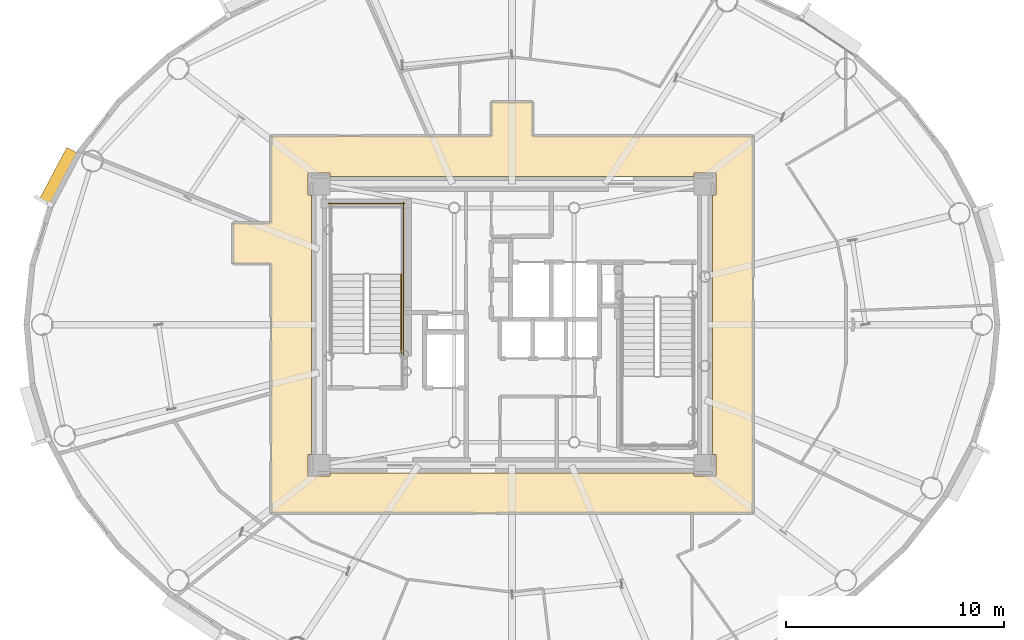
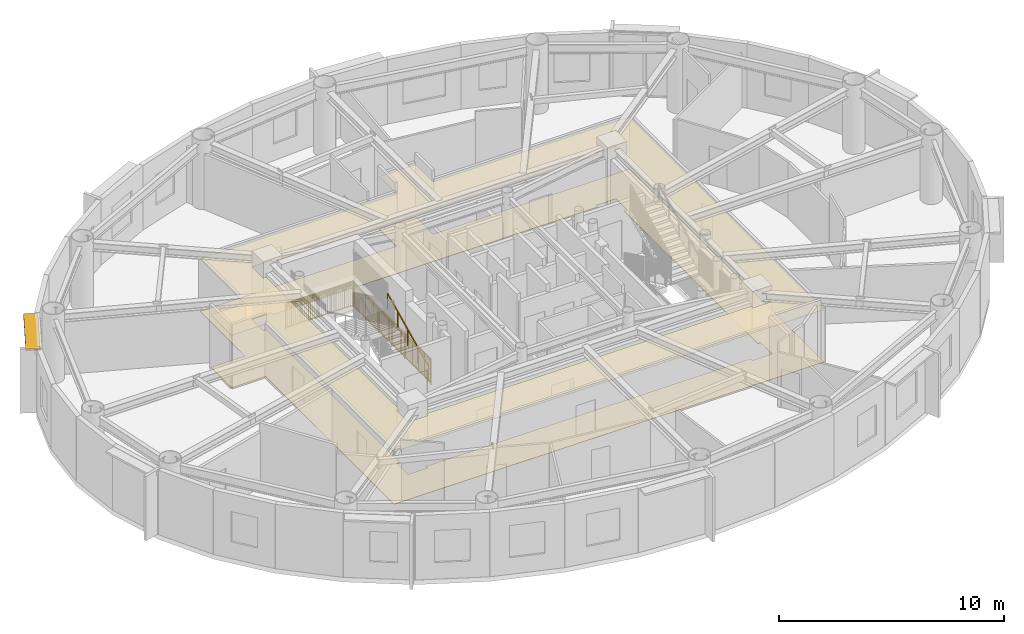
# One storey, part 15 of 17: 3 railings, 2 coverings, 1 shading device.
"""IFC4 building model written with IfcOpenShell, lengths in metres."""

import ifcopenshell
import ifcopenshell.guid

model = None  # the IFC model being written
_history = None  # IfcOwnerHistory: only IFC2X3 demands one
_inside = {}  # id of a spatial element -> (the spatial element, [elements in it])
_under = {}  # id of a project, library or spatial element -> (it, [spatial elements below it])
_declared = {}  # id of a project -> (the project, [libraries it declares])
_typed = {}  # id of a type object -> (the type object, [elements of that type])
_made_of = {}  # id of a material, layer set ... -> (it, [elements and type objects made of it])


def new_model(schema):
    """Start an empty IFC model of exactly this schema.

    Asked for "IFC4X3", IfcOpenShell would pick the latest addendum, in which some entities
    have other attributes; the version numbers below select the first issue.
    IFC2X3 requires an IfcOwnerHistory on every rooted entity: one is made here for all.
    """
    global model, _history
    if schema == "IFC4X3":
        model = ifcopenshell.file(schema_version=(4, 3, 0, 0))
    else:
        model = ifcopenshell.file(schema=schema)
    _inside.clear()
    _under.clear()
    _declared.clear()
    _typed.clear()
    _made_of.clear()
    _history = None
    if model.schema == "IFC2X3":
        org = make("IfcOrganization", Name="unknown")
        user = make(
            "IfcPersonAndOrganization",
            ThePerson=make("IfcPerson", FamilyName="unknown"),
            TheOrganization=org,
        )
        app = make(
            "IfcApplication",
            ApplicationDeveloper=org,
            Version="unknown",
            ApplicationFullName="unknown",
            ApplicationIdentifier="unknown",
        )
        _history = make(
            "IfcOwnerHistory",
            OwningUser=user,
            OwningApplication=app,
            ChangeAction="ADDED",
            CreationDate=0,
        )
    return model


def make(cls, **values):
    """One entity of the class cls with the attributes given. An attribute that is None is left unset."""
    return model.create_entity(
        cls, **{name: value for name, value in values.items() if value is not None}
    )


def rooted(cls, **values):
    """An entity with a GlobalId (a new one), such as an element, a storey or a relation."""
    return make(cls, GlobalId=ifcopenshell.guid.new(), OwnerHistory=_history, **values)


def si_unit(unit_type, name, prefix=None):
    """IfcSIUnit, for example si_unit("LENGTHUNIT", "METRE", prefix="MILLI")."""
    return make("IfcSIUnit", UnitType=unit_type, Prefix=prefix, Name=name)


def assignment(units):
    """IfcUnitAssignment: the units of a project."""
    return None if units is None else make("IfcUnitAssignment", Units=units)


def point(xyz):
    """IfcCartesianPoint."""
    return None if xyz is None else make("IfcCartesianPoint", Coordinates=xyz)


def direction(xyz):
    """IfcDirection."""
    return None if xyz is None else make("IfcDirection", DirectionRatios=xyz)


def frame(location, z_axis=None, x_axis=None):
    """IfcAxis2Placement3D, a coordinate frame: its origin and axes. An axis left out is left unset."""
    return make(
        "IfcAxis2Placement3D",
        Location=point(location),
        Axis=direction(z_axis),
        RefDirection=direction(x_axis),
    )


def frame_2d(location, x_axis=None):
    """IfcAxis2Placement2D, a coordinate frame in the plane: its origin and x axis."""
    return make(
        "IfcAxis2Placement2D", Location=point(location), RefDirection=direction(x_axis)
    )


def origin():
    """The frame at (0, 0, 0) with its axes left unset."""
    return frame((0.0, 0.0, 0.0))


def origin_2d():
    """The frame at (0, 0) in the plane with its x axis left unset."""
    return frame_2d((0.0, 0.0))


def place(relative_to, where):
    """IfcLocalPlacement: puts the frame where relative to a parent placement (None: the world)."""
    return make(
        "IfcLocalPlacement", PlacementRelTo=relative_to, RelativePlacement=where
    )


def context(
    kind, dimensions, precision=None, world=None, true_north=None, identifier=None
):
    """IfcGeometricRepresentationContext, for example the 3D "Model" context."""
    return make(
        "IfcGeometricRepresentationContext",
        ContextIdentifier=identifier,
        ContextType=kind,
        CoordinateSpaceDimension=dimensions,
        Precision=precision,
        WorldCoordinateSystem=world,
        TrueNorth=true_north,
    )


def subcontext(parent, identifier, kind, view, scale=None):
    """IfcGeometricRepresentationSubContext, for example "Body" below "Model"."""
    return make(
        "IfcGeometricRepresentationSubContext",
        ContextIdentifier=identifier,
        ContextType=kind,
        ParentContext=parent,
        TargetScale=scale,
        TargetView=view,
    )


def project(units=None, contexts=None):
    """IfcProject with its units and contexts."""
    return rooted(
        "IfcProject",
        Name="project",
        RepresentationContexts=contexts,
        UnitsInContext=assignment(units),
    )


def spatial(cls, under=None, at=None, **own):
    """A site, building, storey or space (cls), placed at a placement, below another one or the project."""
    s = rooted(cls, ObjectPlacement=at, **own)
    if under is not None:
        _under.setdefault(under.id(), (under, []))[1].append(s)
    return s


def polyline(points):
    """IfcPolyline through the points."""
    return make("IfcPolyline", Points=[point(p) for p in points])


def profile(cls, at=None, kind="AREA", **sizes):
    """A parametric profile (cls). Its sizes go by their IFC names, for example OverallWidth=200.0."""
    return make(cls, ProfileType=kind, Position=at, **sizes)


def rectangle(**sizes):
    """IfcRectangleProfileDef."""
    return profile("IfcRectangleProfileDef", **sizes)


def outline(outer, holes=None, kind="AREA"):
    """IfcArbitraryClosedProfileDef: a profile drawn as a closed curve; with holes, ...WithVoids."""
    if holes is None:
        return make("IfcArbitraryClosedProfileDef", ProfileType=kind, OuterCurve=outer)
    return make(
        "IfcArbitraryProfileDefWithVoids",
        ProfileType=kind,
        OuterCurve=outer,
        InnerCurves=holes,
    )


def extrude(swept, where, along, depth):
    """IfcExtrudedAreaSolid: the profile swept, set in the frame where, extruded along a direction by depth."""
    return make(
        "IfcExtrudedAreaSolid",
        SweptArea=swept,
        Position=where,
        ExtrudedDirection=direction(along),
        Depth=depth,
    )


def shape(context_of_items, identifier, shape_type, items):
    """IfcShapeRepresentation: the items that make up one representation, for example the "Body"."""
    return make(
        "IfcShapeRepresentation",
        ContextOfItems=context_of_items,
        RepresentationIdentifier=identifier,
        RepresentationType=shape_type,
        Items=items,
    )


def source(mapping_origin, context_of_items, identifier, shape_type, items):
    """IfcRepresentationMap: a shape defined once, which mapped items show again and again."""
    return make(
        "IfcRepresentationMap",
        MappingOrigin=mapping_origin,
        MappedRepresentation=shape(context_of_items, identifier, shape_type, items),
    )


def transform(
    local_origin,
    x_axis=None,
    y_axis=None,
    z_axis=None,
    scale=None,
    scale2=None,
    scale3=None,
    uniform=True,
):
    """IfcCartesianTransformationOperator3D, or its non-uniform kind. x_axis, y_axis, z_axis: its Axis1, 2, 3."""
    if uniform:
        return make(
            "IfcCartesianTransformationOperator3D",
            Axis1=direction(x_axis),
            Axis2=direction(y_axis),
            LocalOrigin=point(local_origin),
            Scale=scale,
            Axis3=direction(z_axis),
        )
    return make(
        "IfcCartesianTransformationOperator3DnonUniform",
        Axis1=direction(x_axis),
        Axis2=direction(y_axis),
        LocalOrigin=point(local_origin),
        Scale=scale,
        Axis3=direction(z_axis),
        Scale2=scale2,
        Scale3=scale3,
    )


def mapped(mapping_source, mapping_target):
    """IfcMappedItem: shows the shape of a source again, moved by a transform."""
    return make(
        "IfcMappedItem", MappingSource=mapping_source, MappingTarget=mapping_target
    )


def material(Name=None, Category=None):
    """IfcMaterial."""
    return make("IfcMaterial", Name=Name, Category=Category)


def layer(
    of_material, thickness, ventilated=None, Name=None, Category=None, Priority=None
):
    """IfcMaterialLayer: one layer of a wall or slab, of a material (None: an air gap)."""
    return make(
        "IfcMaterialLayer",
        Material=of_material,
        LayerThickness=thickness,
        IsVentilated=ventilated,
        Name=Name,
        Category=Category,
        Priority=Priority,
    )


def layer_set(layers, Name=None):
    """IfcMaterialLayerSet."""
    return make("IfcMaterialLayerSet", MaterialLayers=layers, LayerSetName=Name)


def made_of(thing, what):
    """Note that an element or type object is made of a material, layer set ...; save() writes the relation."""
    if what is not None:
        _made_of.setdefault(what.id(), (what, []))[1].append(thing)
    return thing


def type_object(cls, material=None, **own):
    """A type object (cls), such as IfcWallType, which elements share."""
    return made_of(rooted(cls, **own), material)


def element(
    cls,
    number,
    at=None,
    inside=None,
    cuts=None,
    type_object=None,
    material=None,
    context=None,
    identifier="Body",
    shape_type=None,
    held_by="IfcProductDefinitionShape",
    body=None,
    shapes=None,
    **own,
):
    """One element of the class cls, such as IfcWall. Its Tag is "e" and its number.

    at: its placement. inside: the storey or other place that contains it. cuts: it is an
    opening in that element (IfcRelVoidsElement). A single representation is given by context,
    identifier, shape_type and body (its items); several are given by shapes. held_by: the class
    of the entity that holds the representations. save() writes the other relations.
    """
    e = rooted(cls, Tag="e%d" % number, ObjectPlacement=at, **own)
    if body is not None:
        shapes = [shape(context, identifier, shape_type, body)]
    if shapes is not None:
        e.Representation = make(held_by, Representations=shapes)
    if inside is not None:
        _inside.setdefault(inside.id(), (inside, []))[1].append(e)
    if cuts is not None:
        rooted(
            "IfcRelVoidsElement", RelatingBuildingElement=cuts, RelatedOpeningElement=e
        )
    if type_object is not None:
        _typed.setdefault(type_object.id(), (type_object, []))[1].append(e)
    return made_of(e, material)


def aggregate(whole, parts):
    """IfcRelAggregates: a whole, such as a stair, and the parts it consists of."""
    return rooted("IfcRelAggregates", RelatingObject=whole, RelatedObjects=parts)


def save(model, path):
    """Write the relations noted so far, then the file.

    IfcRelAggregates (storeys below a building ...), IfcRelContainedInSpatialStructure (elements
    in a storey), IfcRelDefinesByType, IfcRelAssociatesMaterial and IfcRelDeclares: one each for
    every whole, place, type object, material and project.
    """
    for whole, parts in _under.values():
        aggregate(whole, parts)
    for where, things in _inside.values():
        rooted(
            "IfcRelContainedInSpatialStructure",
            RelatedElements=things,
            RelatingStructure=where,
        )
    for kind, things in _typed.values():
        rooted("IfcRelDefinesByType", RelatedObjects=things, RelatingType=kind)
    for what, things in _made_of.values():
        rooted("IfcRelAssociatesMaterial", RelatedObjects=things, RelatingMaterial=what)
    for by, libraries in _declared.values():
        rooted("IfcRelDeclares", RelatingContext=by, RelatedDefinitions=libraries)
    model.write(path)


model = new_model("IFC4")

# Units and contexts
model_context = context("Model", 3, precision=1e-05, world=origin(), true_north=direction((0.0, 1.0)))
body_context = subcontext(model_context, "Body", "Model", "MODEL_VIEW")
ifc_project = project(units=[si_unit("LENGTHUNIT", "METRE"), si_unit("AREAUNIT", "SQUARE_METRE"), si_unit("VOLUMEUNIT", "CUBIC_METRE"), si_unit("PLANEANGLEUNIT", "RADIAN"), si_unit("MASSUNIT", "GRAM", prefix="KILO")], contexts=[model_context])

# Site, building, storey
site_placement = place(None, origin())
site = spatial("IfcSite", under=ifc_project, at=site_placement, CompositionType="ELEMENT")
building_placement = place(site_placement, origin())
building = spatial("IfcBuilding", under=site, at=building_placement, Name="Linh Dai School and Residence Tower", CompositionType="ELEMENT")
storey_placement = place(building_placement, frame((0.0, 0.0, 310.5)))
storey = spatial("IfcBuildingStorey", under=building, at=storey_placement, Name="L77", CompositionType="ELEMENT", Elevation=310.5)

# Coverings
ifc_material_1 = material(Name="Mineral Fibre Acoustic Suspended Ceiling", Category="masonry")
ifc_layer_1 = layer(ifc_material_1, 0.02001953125)
ifc_layer_set_1 = layer_set([ifc_layer_1], Name="Mineral Fibre Acoustic Suspended Ceiling")
covering_type_1 = type_object("IfcCoveringType", Name="COV-CEIL-AC-20", PredefinedType="CEILING", material=ifc_layer_set_1)
covering_1_placement = place(storey_placement, frame((0.0, 0.0, 2.85009765625)))
element("IfcCovering", 1, at=covering_1_placement, inside=storey, type_object=covering_type_1, Name="L77 Residential Floor Corridor Suspended Ceiling", PredefinedType="CEILING", context=body_context, shape_type="SweptSolid", body=[
    extrude(outline(polyline([(23.199951171875, 31.64990234375), (24.949951171875, 31.64990234375), (24.949951171875, 35.64990234375), (35.050048828125, 35.64990234375), (35.050048828125, 37.199951171875), (36.949951171875, 37.199951171875), (36.949951171875, 35.64990234375), (47.050048828125, 35.64990234375), (47.050048828125, 18.35009765625), (24.949951171875, 18.35009765625), (24.949951171875, 29.800048828125), (23.199951171875, 29.800048828125), (23.199951171875, 31.64990234375)]), holes=[polyline([(27.64990234375, 33.800048828125), (27.64990234375, 33.949951171875), (26.64990234375, 33.949951171875), (26.64990234375, 32.949951171875), (26.800048828125, 32.949951171875), (26.800048828125, 21.050048828125), (26.64990234375, 21.050048828125), (26.64990234375, 20.050048828125), (27.64990234375, 20.050048828125), (27.64990234375, 20.199951171875), (44.35009765625, 20.199951171875), (44.35009765625, 20.050048828125), (45.35009765625, 20.050048828125), (45.35009765625, 21.050048828125), (45.199951171875, 21.050048828125), (45.199951171875, 32.949951171875), (45.35009765625, 32.949951171875), (45.35009765625, 33.949951171875), (44.35009765625, 33.949951171875), (44.35009765625, 33.800048828125), (27.64990234375, 33.800048828125)])]), origin(), (0.0, 0.0, 1.0), 0.02001953125),
])
ifc_material_2 = material(Name="Polished Terrazzo Floor Finish", Category="masonry")
ifc_layer_2 = layer(ifc_material_2, 0.02490234375)
ifc_layer_set_2 = layer_set([ifc_layer_2], Name="Polished Terrazzo Floor Finish")
covering_type_2 = type_object("IfcCoveringType", Name="COV-FLR-TRZ-25", PredefinedType="FLOORING", material=ifc_layer_set_2)
covering_2_placement = place(storey_placement, origin())
element("IfcCovering", 2, at=covering_2_placement, inside=storey, type_object=covering_type_2, Name="L77 Residential Floor Corridor Floor Finish", PredefinedType="FLOORING", context=body_context, shape_type="SweptSolid", body=[
    extrude(outline(polyline([(23.199951171875, 31.64990234375), (24.949951171875, 31.64990234375), (24.949951171875, 35.64990234375), (35.050048828125, 35.64990234375), (35.050048828125, 37.199951171875), (36.949951171875, 37.199951171875), (36.949951171875, 35.64990234375), (47.050048828125, 35.64990234375), (47.050048828125, 18.35009765625), (24.949951171875, 18.35009765625), (24.949951171875, 29.800048828125), (23.199951171875, 29.800048828125), (23.199951171875, 31.64990234375)]), holes=[polyline([(27.64990234375, 33.800048828125), (27.64990234375, 33.949951171875), (26.64990234375, 33.949951171875), (26.64990234375, 32.949951171875), (26.800048828125, 32.949951171875), (26.800048828125, 21.050048828125), (26.64990234375, 21.050048828125), (26.64990234375, 20.050048828125), (27.64990234375, 20.050048828125), (27.64990234375, 20.199951171875), (44.35009765625, 20.199951171875), (44.35009765625, 20.050048828125), (45.35009765625, 20.050048828125), (45.35009765625, 21.050048828125), (45.199951171875, 21.050048828125), (45.199951171875, 32.949951171875), (45.35009765625, 32.949951171875), (45.35009765625, 33.949951171875), (44.35009765625, 33.949951171875), (44.35009765625, 33.800048828125), (27.64990234375, 33.800048828125)])]), origin(), (0.0, 0.0, 1.0), 0.02001953125),
])

# Shading device
ifc_material_3 = material(Name="Terracotta Ceramic Sunshade", Category="masonry")
ifc_layer_3 = layer(ifc_material_3, 0.10009765625)
ifc_layer_set_3 = layer_set([ifc_layer_3], Name="Terracotta Ceramic Sunshade")
shading_device_type = type_object("IfcShadingDeviceType", Name="SHD-TC-650", PredefinedType="USERDEFINED", material=ifc_layer_set_3)
shared_shape_1 = source(origin(), body_context, "Body", "SweptSolid", [
    extrude(rectangle(XDim=2.739501953125, YDim=0.64990234375, at=origin_2d()), origin(), (0.0, 0.0, 1.0), 0.10009765625),
])
shading_device_placement = place(storey_placement, frame((15.22705078125, 33.766845703125, 3.3798828125), z_axis=(0.0, 0.0, 1.0), x_axis=(0.467603531201, 0.883938310975, 0.0)))
element("IfcShadingDevice", 3, at=shading_device_placement, inside=storey, type_object=shading_device_type, Name="L77 Terracotta Horizontal Sunshade Band 18", ObjectType="SUNSHADE", PredefinedType="USERDEFINED", context=body_context, shape_type="MappedRepresentation", body=[
    mapped(shared_shape_1, transform((0.0, 0.0, 0.0), x_axis=(1.0, 0.0, 0.0), y_axis=(0.0, 1.0, 0.0), z_axis=(0.0, 0.0, 1.0), scale=1.0)),
])

# Railings
ifc_material_4 = material(Name="Structural Steel S355JR", Category="steel")
railing_type_1 = type_object("IfcRailingType", Name="RL-ST-GUARD-1400", PredefinedType="GUARDRAIL", material=ifc_material_4)
shared_shape_2 = source(origin(), body_context, "Body", "SweptSolid", [
    extrude(rectangle(XDim=0.048095703125, YDim=0.048095703125, at=origin_2d()), frame((0.0, 0.0, 1.3759765625), z_axis=(0.0, 1.0, 0.0), x_axis=(-1.0, 0.0, 0.0)), (0.0, 0.0, 1.0), 7.0),
    extrude(rectangle(XDim=0.048095703125, YDim=0.048095703125, at=origin_2d()), frame((0.0, 0.0, 0.10009765625), z_axis=(0.0, 1.0, 0.0), x_axis=(-1.0, 0.0, 0.0)), (0.0, 0.0, 1.0), 7.0),
    extrude(rectangle(XDim=0.030029296875, YDim=0.030029296875, at=origin_2d()), frame((0.0, 0.0, 1.239990234375), z_axis=(0.0, 1.0, 0.0), x_axis=(-1.0, 0.0, 0.0)), (0.0, 0.0, 1.0), 7.0),
    extrude(rectangle(XDim=0.02001953125, YDim=0.02001953125, at=origin_2d()), frame((0.0, 0.09716796875, 0.10009765625)), (0.0, 0.0, 1.0), 1.251708984375),
    extrude(rectangle(XDim=0.02001953125, YDim=0.02001953125, at=origin_2d()), frame((0.0, 0.1943359375, 0.10009765625)), (0.0, 0.0, 1.0), 1.251708984375),
    extrude(rectangle(XDim=0.02001953125, YDim=0.02001953125, at=origin_2d()), frame((0.0, 0.291748046875, 0.10009765625)), (0.0, 0.0, 1.0), 1.251708984375),
    extrude(rectangle(XDim=0.02001953125, YDim=0.02001953125, at=origin_2d()), frame((0.0, 0.388916015625, 0.10009765625)), (0.0, 0.0, 1.0), 1.251708984375),
    extrude(rectangle(XDim=0.02001953125, YDim=0.02001953125, at=origin_2d()), frame((0.0, 0.486083984375, 0.10009765625)), (0.0, 0.0, 1.0), 1.251708984375),
    extrude(rectangle(XDim=0.02001953125, YDim=0.02001953125, at=origin_2d()), frame((0.0, 0.583251953125, 0.10009765625)), (0.0, 0.0, 1.0), 1.251708984375),
    extrude(rectangle(XDim=0.02001953125, YDim=0.02001953125, at=origin_2d()), frame((0.0, 0.6806640625, 0.10009765625)), (0.0, 0.0, 1.0), 1.251708984375),
    extrude(rectangle(XDim=0.02001953125, YDim=0.02001953125, at=origin_2d()), frame((0.0, 0.77783203125, 0.10009765625)), (0.0, 0.0, 1.0), 1.251708984375),
    extrude(rectangle(XDim=0.02001953125, YDim=0.02001953125, at=origin_2d()), frame((0.0, 0.875, 0.10009765625)), (0.0, 0.0, 1.0), 1.251708984375),
    extrude(rectangle(XDim=0.02001953125, YDim=0.02001953125, at=origin_2d()), frame((0.0, 0.97216796875, 0.10009765625)), (0.0, 0.0, 1.0), 1.251708984375),
    extrude(rectangle(XDim=0.02001953125, YDim=0.02001953125, at=origin_2d()), frame((0.0, 1.0693359375, 0.10009765625)), (0.0, 0.0, 1.0), 1.251708984375),
    extrude(rectangle(XDim=0.02001953125, YDim=0.02001953125, at=origin_2d()), frame((0.0, 1.263916015625, 0.10009765625)), (0.0, 0.0, 1.0), 1.251708984375),
    extrude(rectangle(XDim=0.02001953125, YDim=0.02001953125, at=origin_2d()), frame((0.0, 1.361083984375, 0.10009765625)), (0.0, 0.0, 1.0), 1.251708984375),
    extrude(rectangle(XDim=0.02001953125, YDim=0.02001953125, at=origin_2d()), frame((0.0, 1.458251953125, 0.10009765625)), (0.0, 0.0, 1.0), 1.251708984375),
    extrude(rectangle(XDim=0.02001953125, YDim=0.02001953125, at=origin_2d()), frame((0.0, 1.5556640625, 0.10009765625)), (0.0, 0.0, 1.0), 1.251708984375),
    extrude(rectangle(XDim=0.02001953125, YDim=0.02001953125, at=origin_2d()), frame((0.0, 1.65283203125, 0.10009765625)), (0.0, 0.0, 1.0), 1.251708984375),
    extrude(rectangle(XDim=0.02001953125, YDim=0.02001953125, at=origin_2d()), frame((0.0, 1.75, 0.10009765625)), (0.0, 0.0, 1.0), 1.251708984375),
    extrude(rectangle(XDim=0.02001953125, YDim=0.02001953125, at=origin_2d()), frame((0.0, 1.84716796875, 0.10009765625)), (0.0, 0.0, 1.0), 1.251708984375),
    extrude(rectangle(XDim=0.02001953125, YDim=0.02001953125, at=origin_2d()), frame((0.0, 1.9443359375, 0.10009765625)), (0.0, 0.0, 1.0), 1.251708984375),
    extrude(rectangle(XDim=0.02001953125, YDim=0.02001953125, at=origin_2d()), frame((0.0, 2.041748046875, 0.10009765625)), (0.0, 0.0, 1.0), 1.251708984375),
    extrude(rectangle(XDim=0.02001953125, YDim=0.02001953125, at=origin_2d()), frame((0.0, 2.138916015625, 0.10009765625)), (0.0, 0.0, 1.0), 1.251708984375),
    extrude(rectangle(XDim=0.02001953125, YDim=0.02001953125, at=origin_2d()), frame((0.0, 2.236083984375, 0.10009765625)), (0.0, 0.0, 1.0), 1.251708984375),
    extrude(rectangle(XDim=0.02001953125, YDim=0.02001953125, at=origin_2d()), frame((0.0, 2.4306640625, 0.10009765625)), (0.0, 0.0, 1.0), 1.251708984375),
    extrude(rectangle(XDim=0.02001953125, YDim=0.02001953125, at=origin_2d()), frame((0.0, 2.52783203125, 0.10009765625)), (0.0, 0.0, 1.0), 1.251708984375),
    extrude(rectangle(XDim=0.02001953125, YDim=0.02001953125, at=origin_2d()), frame((0.0, 2.625, 0.10009765625)), (0.0, 0.0, 1.0), 1.251708984375),
    extrude(rectangle(XDim=0.02001953125, YDim=0.02001953125, at=origin_2d()), frame((0.0, 2.72216796875, 0.10009765625)), (0.0, 0.0, 1.0), 1.251708984375),
    extrude(rectangle(XDim=0.02001953125, YDim=0.02001953125, at=origin_2d()), frame((0.0, 2.8193359375, 0.10009765625)), (0.0, 0.0, 1.0), 1.251708984375),
    extrude(rectangle(XDim=0.02001953125, YDim=0.02001953125, at=origin_2d()), frame((0.0, 2.916748046875, 0.10009765625)), (0.0, 0.0, 1.0), 1.251708984375),
    extrude(rectangle(XDim=0.02001953125, YDim=0.02001953125, at=origin_2d()), frame((0.0, 3.013916015625, 0.10009765625)), (0.0, 0.0, 1.0), 1.251708984375),
    extrude(rectangle(XDim=0.02001953125, YDim=0.02001953125, at=origin_2d()), frame((0.0, 3.111083984375, 0.10009765625)), (0.0, 0.0, 1.0), 1.251708984375),
    extrude(rectangle(XDim=0.02001953125, YDim=0.02001953125, at=origin_2d()), frame((0.0, 3.208251953125, 0.10009765625)), (0.0, 0.0, 1.0), 1.251708984375),
    extrude(rectangle(XDim=0.02001953125, YDim=0.02001953125, at=origin_2d()), frame((0.0, 3.3056640625, 0.10009765625)), (0.0, 0.0, 1.0), 1.251708984375),
    extrude(rectangle(XDim=0.02001953125, YDim=0.02001953125, at=origin_2d()), frame((0.0, 3.40283203125, 0.10009765625)), (0.0, 0.0, 1.0), 1.251708984375),
    extrude(rectangle(XDim=0.02001953125, YDim=0.02001953125, at=origin_2d()), frame((0.0, 3.59716796875, 0.10009765625)), (0.0, 0.0, 1.0), 1.251708984375),
    extrude(rectangle(XDim=0.02001953125, YDim=0.02001953125, at=origin_2d()), frame((0.0, 3.6943359375, 0.10009765625)), (0.0, 0.0, 1.0), 1.251708984375),
    extrude(rectangle(XDim=0.02001953125, YDim=0.02001953125, at=origin_2d()), frame((0.0, 3.791748046875, 0.10009765625)), (0.0, 0.0, 1.0), 1.251708984375),
    extrude(rectangle(XDim=0.02001953125, YDim=0.02001953125, at=origin_2d()), frame((0.0, 3.888916015625, 0.10009765625)), (0.0, 0.0, 1.0), 1.251708984375),
    extrude(rectangle(XDim=0.02001953125, YDim=0.02001953125, at=origin_2d()), frame((0.0, 3.986083984375, 0.10009765625)), (0.0, 0.0, 1.0), 1.251708984375),
    extrude(rectangle(XDim=0.02001953125, YDim=0.02001953125, at=origin_2d()), frame((0.0, 4.083251953125, 0.10009765625)), (0.0, 0.0, 1.0), 1.251708984375),
    extrude(rectangle(XDim=0.02001953125, YDim=0.02001953125, at=origin_2d()), frame((0.0, 4.1806640625, 0.10009765625)), (0.0, 0.0, 1.0), 1.251708984375),
    extrude(rectangle(XDim=0.02001953125, YDim=0.02001953125, at=origin_2d()), frame((0.0, 4.27783203125, 0.10009765625)), (0.0, 0.0, 1.0), 1.251708984375),
    extrude(rectangle(XDim=0.02001953125, YDim=0.02001953125, at=origin_2d()), frame((0.0, 4.375, 0.10009765625)), (0.0, 0.0, 1.0), 1.251708984375),
    extrude(rectangle(XDim=0.02001953125, YDim=0.02001953125, at=origin_2d()), frame((0.0, 4.47216796875, 0.10009765625)), (0.0, 0.0, 1.0), 1.251708984375),
    extrude(rectangle(XDim=0.02001953125, YDim=0.02001953125, at=origin_2d()), frame((0.0, 4.5693359375, 0.10009765625)), (0.0, 0.0, 1.0), 1.251708984375),
    extrude(rectangle(XDim=0.02001953125, YDim=0.02001953125, at=origin_2d()), frame((0.0, 4.763916015625, 0.10009765625)), (0.0, 0.0, 1.0), 1.251708984375),
    extrude(rectangle(XDim=0.02001953125, YDim=0.02001953125, at=origin_2d()), frame((0.0, 4.861083984375, 0.10009765625)), (0.0, 0.0, 1.0), 1.251708984375),
    extrude(rectangle(XDim=0.02001953125, YDim=0.02001953125, at=origin_2d()), frame((0.0, 4.958251953125, 0.10009765625)), (0.0, 0.0, 1.0), 1.251708984375),
    extrude(rectangle(XDim=0.02001953125, YDim=0.02001953125, at=origin_2d()), frame((0.0, 5.0556640625, 0.10009765625)), (0.0, 0.0, 1.0), 1.251708984375),
    extrude(rectangle(XDim=0.02001953125, YDim=0.02001953125, at=origin_2d()), frame((0.0, 5.15283203125, 0.10009765625)), (0.0, 0.0, 1.0), 1.251708984375),
    extrude(rectangle(XDim=0.02001953125, YDim=0.02001953125, at=origin_2d()), frame((0.0, 5.25, 0.10009765625)), (0.0, 0.0, 1.0), 1.251708984375),
    extrude(rectangle(XDim=0.02001953125, YDim=0.02001953125, at=origin_2d()), frame((0.0, 5.34716796875, 0.10009765625)), (0.0, 0.0, 1.0), 1.251708984375),
    extrude(rectangle(XDim=0.02001953125, YDim=0.02001953125, at=origin_2d()), frame((0.0, 5.4443359375, 0.10009765625)), (0.0, 0.0, 1.0), 1.251708984375),
    extrude(rectangle(XDim=0.02001953125, YDim=0.02001953125, at=origin_2d()), frame((0.0, 5.541748046875, 0.10009765625)), (0.0, 0.0, 1.0), 1.251708984375),
    extrude(rectangle(XDim=0.02001953125, YDim=0.02001953125, at=origin_2d()), frame((0.0, 5.638916015625, 0.10009765625)), (0.0, 0.0, 1.0), 1.251708984375),
    extrude(rectangle(XDim=0.02001953125, YDim=0.02001953125, at=origin_2d()), frame((0.0, 5.736083984375, 0.10009765625)), (0.0, 0.0, 1.0), 1.251708984375),
    extrude(rectangle(XDim=0.02001953125, YDim=0.02001953125, at=origin_2d()), frame((0.0, 5.9306640625, 0.10009765625)), (0.0, 0.0, 1.0), 1.251708984375),
    extrude(rectangle(XDim=0.02001953125, YDim=0.02001953125, at=origin_2d()), frame((0.0, 6.02783203125, 0.10009765625)), (0.0, 0.0, 1.0), 1.251708984375),
    extrude(rectangle(XDim=0.02001953125, YDim=0.02001953125, at=origin_2d()), frame((0.0, 6.125, 0.10009765625)), (0.0, 0.0, 1.0), 1.251708984375),
    extrude(rectangle(XDim=0.02001953125, YDim=0.02001953125, at=origin_2d()), frame((0.0, 6.22216796875, 0.10009765625)), (0.0, 0.0, 1.0), 1.251708984375),
    extrude(rectangle(XDim=0.02001953125, YDim=0.02001953125, at=origin_2d()), frame((0.0, 6.3193359375, 0.10009765625)), (0.0, 0.0, 1.0), 1.251708984375),
    extrude(rectangle(XDim=0.02001953125, YDim=0.02001953125, at=origin_2d()), frame((0.0, 6.416748046875, 0.10009765625)), (0.0, 0.0, 1.0), 1.251708984375),
    extrude(rectangle(XDim=0.02001953125, YDim=0.02001953125, at=origin_2d()), frame((0.0, 6.513916015625, 0.10009765625)), (0.0, 0.0, 1.0), 1.251708984375),
    extrude(rectangle(XDim=0.02001953125, YDim=0.02001953125, at=origin_2d()), frame((0.0, 6.611083984375, 0.10009765625)), (0.0, 0.0, 1.0), 1.251708984375),
    extrude(rectangle(XDim=0.02001953125, YDim=0.02001953125, at=origin_2d()), frame((0.0, 6.708251953125, 0.10009765625)), (0.0, 0.0, 1.0), 1.251708984375),
    extrude(rectangle(XDim=0.02001953125, YDim=0.02001953125, at=origin_2d()), frame((0.0, 6.8056640625, 0.10009765625)), (0.0, 0.0, 1.0), 1.251708984375),
    extrude(rectangle(XDim=0.02001953125, YDim=0.02001953125, at=origin_2d()), frame((0.0, 6.90283203125, 0.10009765625)), (0.0, 0.0, 1.0), 1.251708984375),
    extrude(rectangle(XDim=0.0419921875, YDim=0.0419921875, at=origin_2d()), origin(), (0.0, 0.0, 1.0), 1.3759765625),
    extrude(rectangle(XDim=0.0419921875, YDim=0.0419921875, at=origin_2d()), frame((0.0, 1.166748046875, 0.0)), (0.0, 0.0, 1.0), 1.3759765625),
    extrude(rectangle(XDim=0.0419921875, YDim=0.0419921875, at=origin_2d()), frame((0.0, 2.333251953125, 0.0)), (0.0, 0.0, 1.0), 1.3759765625),
    extrude(rectangle(XDim=0.0419921875, YDim=0.0419921875, at=origin_2d()), frame((0.0, 3.5, 0.0)), (0.0, 0.0, 1.0), 1.3759765625),
    extrude(rectangle(XDim=0.0419921875, YDim=0.0419921875, at=origin_2d()), frame((0.0, 4.666748046875, 0.0)), (0.0, 0.0, 1.0), 1.3759765625),
    extrude(rectangle(XDim=0.0419921875, YDim=0.0419921875, at=origin_2d()), frame((0.0, 5.833251953125, 0.0)), (0.0, 0.0, 1.0), 1.3759765625),
    extrude(rectangle(XDim=0.0419921875, YDim=0.0419921875, at=origin_2d()), frame((0.0, 7.0, 0.0)), (0.0, 0.0, 1.0), 1.3759765625),
])
railing_1_placement = place(storey_placement, frame((31.030029296875, 25.60009765625, 0.0)))
element("IfcRailing", 4, at=railing_1_placement, inside=storey, type_object=railing_type_1, Name="L77 ST1 stair guard 10", PredefinedType="GUARDRAIL", context=body_context, shape_type="MappedRepresentation", body=[
    mapped(shared_shape_2, transform((0.0, 0.0, 0.0), x_axis=(1.0, 0.0, 0.0), y_axis=(0.0, 1.0, 0.0), z_axis=(0.0, 0.0, 1.0), scale=1.0)),
])
shared_shape_3 = source(origin(), body_context, "Body", "SweptSolid", [
    extrude(rectangle(XDim=0.048095703125, YDim=0.048095703125, at=origin_2d()), frame((0.0, 0.0, 1.3759765625), z_axis=(-1.0, 0.0, 0.0), x_axis=(0.0, -1.0, 0.0)), (0.0, 0.0, 1.0), 3.5),
    extrude(rectangle(XDim=0.048095703125, YDim=0.048095703125, at=origin_2d()), frame((0.0, 0.0, 0.10009765625), z_axis=(-1.0, 0.0, 0.0), x_axis=(0.0, -1.0, 0.0)), (0.0, 0.0, 1.0), 3.5),
    extrude(rectangle(XDim=0.030029296875, YDim=0.030029296875, at=origin_2d()), frame((0.0, 0.0, 1.239990234375), z_axis=(-1.0, 0.0, 0.0), x_axis=(0.0, -1.0, 0.0)), (0.0, 0.0, 1.0), 3.5),
    extrude(rectangle(XDim=0.02001953125, YDim=0.02001953125, at=origin_2d()), frame((-0.09716796875, 0.0, 0.10009765625)), (0.0, 0.0, 1.0), 1.251708984375),
    extrude(rectangle(XDim=0.02001953125, YDim=0.02001953125, at=origin_2d()), frame((-0.1943359375, 0.0, 0.10009765625)), (0.0, 0.0, 1.0), 1.251708984375),
    extrude(rectangle(XDim=0.02001953125, YDim=0.02001953125, at=origin_2d()), frame((-0.291748046875, 0.0, 0.10009765625)), (0.0, 0.0, 1.0), 1.251708984375),
    extrude(rectangle(XDim=0.02001953125, YDim=0.02001953125, at=origin_2d()), frame((-0.388916015625, 0.0, 0.10009765625)), (0.0, 0.0, 1.0), 1.251708984375),
    extrude(rectangle(XDim=0.02001953125, YDim=0.02001953125, at=origin_2d()), frame((-0.486083984375, 0.0, 0.10009765625)), (0.0, 0.0, 1.0), 1.251708984375),
    extrude(rectangle(XDim=0.02001953125, YDim=0.02001953125, at=origin_2d()), frame((-0.583251953125, 0.0, 0.10009765625)), (0.0, 0.0, 1.0), 1.251708984375),
    extrude(rectangle(XDim=0.02001953125, YDim=0.02001953125, at=origin_2d()), frame((-0.6806640625, 0.0, 0.10009765625)), (0.0, 0.0, 1.0), 1.251708984375),
    extrude(rectangle(XDim=0.02001953125, YDim=0.02001953125, at=origin_2d()), frame((-0.77783203125, 0.0, 0.10009765625)), (0.0, 0.0, 1.0), 1.251708984375),
    extrude(rectangle(XDim=0.02001953125, YDim=0.02001953125, at=origin_2d()), frame((-0.875, 0.0, 0.10009765625)), (0.0, 0.0, 1.0), 1.251708984375),
    extrude(rectangle(XDim=0.02001953125, YDim=0.02001953125, at=origin_2d()), frame((-0.97216796875, 0.0, 0.10009765625)), (0.0, 0.0, 1.0), 1.251708984375),
    extrude(rectangle(XDim=0.02001953125, YDim=0.02001953125, at=origin_2d()), frame((-1.0693359375, 0.0, 0.10009765625)), (0.0, 0.0, 1.0), 1.251708984375),
    extrude(rectangle(XDim=0.02001953125, YDim=0.02001953125, at=origin_2d()), frame((-1.263916015625, 0.0, 0.10009765625)), (0.0, 0.0, 1.0), 1.251708984375),
    extrude(rectangle(XDim=0.02001953125, YDim=0.02001953125, at=origin_2d()), frame((-1.361083984375, 0.0, 0.10009765625)), (0.0, 0.0, 1.0), 1.251708984375),
    extrude(rectangle(XDim=0.02001953125, YDim=0.02001953125, at=origin_2d()), frame((-1.458251953125, 0.0, 0.10009765625)), (0.0, 0.0, 1.0), 1.251708984375),
    extrude(rectangle(XDim=0.02001953125, YDim=0.02001953125, at=origin_2d()), frame((-1.5556640625, 0.0, 0.10009765625)), (0.0, 0.0, 1.0), 1.251708984375),
    extrude(rectangle(XDim=0.02001953125, YDim=0.02001953125, at=origin_2d()), frame((-1.65283203125, 0.0, 0.10009765625)), (0.0, 0.0, 1.0), 1.251708984375),
    extrude(rectangle(XDim=0.02001953125, YDim=0.02001953125, at=origin_2d()), frame((-1.75, 0.0, 0.10009765625)), (0.0, 0.0, 1.0), 1.251708984375),
    extrude(rectangle(XDim=0.02001953125, YDim=0.02001953125, at=origin_2d()), frame((-1.84716796875, 0.0, 0.10009765625)), (0.0, 0.0, 1.0), 1.251708984375),
    extrude(rectangle(XDim=0.02001953125, YDim=0.02001953125, at=origin_2d()), frame((-1.9443359375, 0.0, 0.10009765625)), (0.0, 0.0, 1.0), 1.251708984375),
    extrude(rectangle(XDim=0.02001953125, YDim=0.02001953125, at=origin_2d()), frame((-2.041748046875, 0.0, 0.10009765625)), (0.0, 0.0, 1.0), 1.251708984375),
    extrude(rectangle(XDim=0.02001953125, YDim=0.02001953125, at=origin_2d()), frame((-2.138916015625, 0.0, 0.10009765625)), (0.0, 0.0, 1.0), 1.251708984375),
    extrude(rectangle(XDim=0.02001953125, YDim=0.02001953125, at=origin_2d()), frame((-2.236083984375, 0.0, 0.10009765625)), (0.0, 0.0, 1.0), 1.251708984375),
    extrude(rectangle(XDim=0.02001953125, YDim=0.02001953125, at=origin_2d()), frame((-2.4306640625, 0.0, 0.10009765625)), (0.0, 0.0, 1.0), 1.251708984375),
    extrude(rectangle(XDim=0.02001953125, YDim=0.02001953125, at=origin_2d()), frame((-2.52783203125, 0.0, 0.10009765625)), (0.0, 0.0, 1.0), 1.251708984375),
    extrude(rectangle(XDim=0.02001953125, YDim=0.02001953125, at=origin_2d()), frame((-2.625, 0.0, 0.10009765625)), (0.0, 0.0, 1.0), 1.251708984375),
    extrude(rectangle(XDim=0.02001953125, YDim=0.02001953125, at=origin_2d()), frame((-2.72216796875, 0.0, 0.10009765625)), (0.0, 0.0, 1.0), 1.251708984375),
    extrude(rectangle(XDim=0.02001953125, YDim=0.02001953125, at=origin_2d()), frame((-2.8193359375, 0.0, 0.10009765625)), (0.0, 0.0, 1.0), 1.251708984375),
    extrude(rectangle(XDim=0.02001953125, YDim=0.02001953125, at=origin_2d()), frame((-2.916748046875, 0.0, 0.10009765625)), (0.0, 0.0, 1.0), 1.251708984375),
    extrude(rectangle(XDim=0.02001953125, YDim=0.02001953125, at=origin_2d()), frame((-3.013916015625, 0.0, 0.10009765625)), (0.0, 0.0, 1.0), 1.251708984375),
    extrude(rectangle(XDim=0.02001953125, YDim=0.02001953125, at=origin_2d()), frame((-3.111083984375, 0.0, 0.10009765625)), (0.0, 0.0, 1.0), 1.251708984375),
    extrude(rectangle(XDim=0.02001953125, YDim=0.02001953125, at=origin_2d()), frame((-3.208251953125, 0.0, 0.10009765625)), (0.0, 0.0, 1.0), 1.251708984375),
    extrude(rectangle(XDim=0.02001953125, YDim=0.02001953125, at=origin_2d()), frame((-3.3056640625, 0.0, 0.10009765625)), (0.0, 0.0, 1.0), 1.251708984375),
    extrude(rectangle(XDim=0.02001953125, YDim=0.02001953125, at=origin_2d()), frame((-3.40283203125, 0.0, 0.10009765625)), (0.0, 0.0, 1.0), 1.251708984375),
    extrude(rectangle(XDim=0.0419921875, YDim=0.0419921875, at=origin_2d()), origin(), (0.0, 0.0, 1.0), 1.3759765625),
    extrude(rectangle(XDim=0.0419921875, YDim=0.0419921875, at=origin_2d()), frame((-1.166748046875, 0.0, 0.0)), (0.0, 0.0, 1.0), 1.3759765625),
    extrude(rectangle(XDim=0.0419921875, YDim=0.0419921875, at=origin_2d()), frame((-2.333251953125, 0.0, 0.0)), (0.0, 0.0, 1.0), 1.3759765625),
    extrude(rectangle(XDim=0.0419921875, YDim=0.0419921875, at=origin_2d()), frame((-3.5, 0.0, 0.0)), (0.0, 0.0, 1.0), 1.3759765625),
])
railing_2_placement = place(storey_placement, frame((31.080078125, 32.550048828125, 0.0)))
element("IfcRailing", 5, at=railing_2_placement, inside=storey, type_object=railing_type_1, Name="L77 ST1 stair guard 12", PredefinedType="GUARDRAIL", context=body_context, shape_type="MappedRepresentation", body=[
    mapped(shared_shape_3, transform((0.0, 0.0, 0.0), x_axis=(1.0, 0.0, 0.0), y_axis=(0.0, 1.0, 0.0), z_axis=(0.0, 0.0, 1.0), scale=1.0)),
])
ifc_material_5 = material(Name="Brushed Stainless Steel Handrail", Category="steel")
railing_type_2 = type_object("IfcRailingType", Name="RL-ST-HANDRAIL-900", PredefinedType="HANDRAIL", material=ifc_material_5)
shared_shape_4 = source(origin(), body_context, "Body", "SweptSolid", [
    extrude(rectangle(XDim=0.048095703125, YDim=0.048095703125, at=origin_2d()), frame((0.0, 0.0, 0.8759765625), z_axis=(0.0, 0.901262522062, 0.433273431364), x_axis=(-1.0, 0.0, 0.0)), (0.0, 0.0, 1.0), 3.994384765625),
    extrude(rectangle(XDim=0.0419921875, YDim=0.0419921875, at=origin_2d()), origin(), (0.0, 0.0, 1.0), 0.8759765625),
    extrude(rectangle(XDim=0.0419921875, YDim=0.0419921875, at=origin_2d()), frame((0.0, 0.89990234375, 0.4326171875)), (0.0, 0.0, 1.0), 0.8759765625),
    extrude(rectangle(XDim=0.0419921875, YDim=0.0419921875, at=origin_2d()), frame((0.0, 1.800048828125, 0.865234375)), (0.0, 0.0, 1.0), 0.8759765625),
    extrude(rectangle(XDim=0.0419921875, YDim=0.0419921875, at=origin_2d()), frame((0.0, 2.7001953125, 1.298095703125)), (0.0, 0.0, 1.0), 0.8759765625),
    extrude(rectangle(XDim=0.0419921875, YDim=0.0419921875, at=origin_2d()), frame((0.0, 3.60009765625, 1.730712890625)), (0.0, 0.0, 1.0), 0.8759765625),
])
railing_3_placement = place(storey_placement, frame((30.929931640625, 25.699951171875, 0.144287109375)))
element("IfcRailing", 6, at=railing_3_placement, inside=storey, type_object=railing_type_2, Name="L77 ST1 stair handrail 1", PredefinedType="HANDRAIL", context=body_context, shape_type="MappedRepresentation", body=[
    mapped(shared_shape_4, transform((0.0, 0.0, 0.0), x_axis=(1.0, 0.0, 0.0), y_axis=(0.0, 1.0, 0.0), z_axis=(0.0, 0.0, 1.0), scale=1.0)),
])

save(model, "model.ifc")
